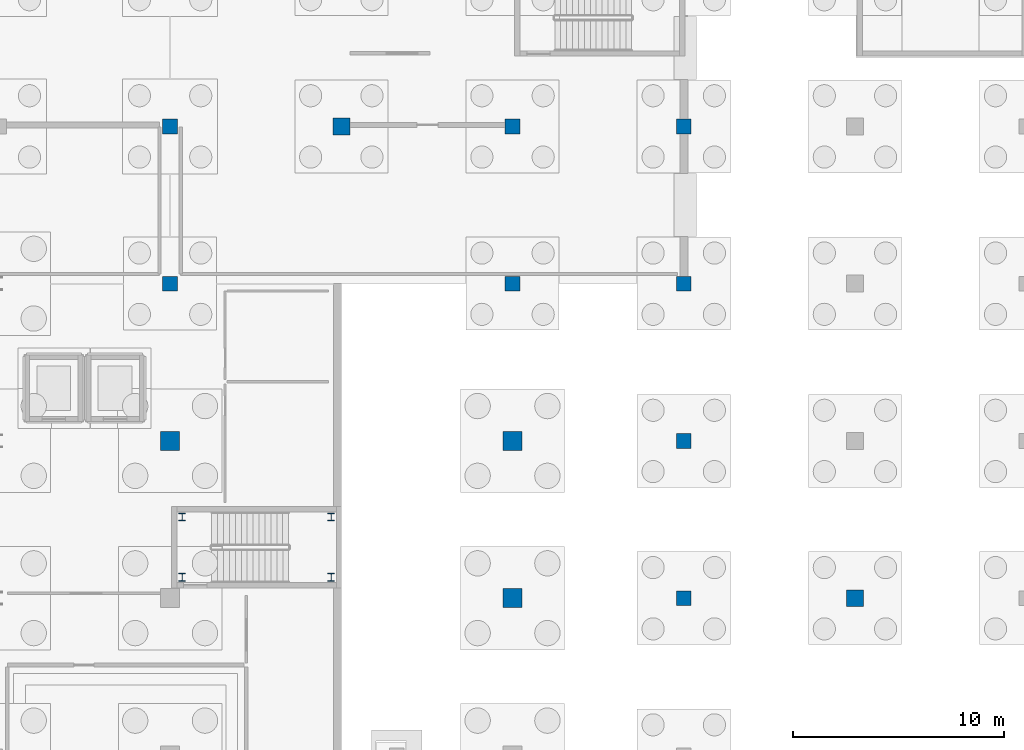
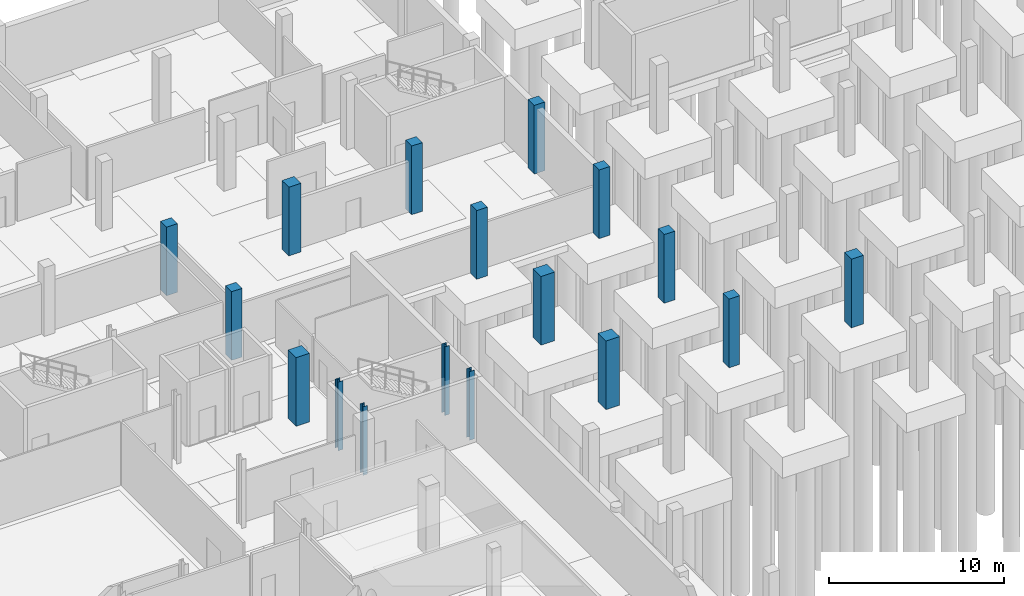
# One storey, part 21 of 37: 17 columns.
"""IFC4 building model written with IfcOpenShell, lengths in metres."""

from ifc_helpers import new_model, si_unit, direction, frame, origin, origin_2d, place, context, subcontext, project, spatial, rectangle, i_section, extrude, material, material_profile, profile_set, type_object, element, save


model = new_model("IFC4")

# Units and contexts
model_context = context("Model", 3, precision=1e-05, world=origin(), true_north=direction((0.0, 1.0)))
body_context = subcontext(model_context, "Body", "Model", "MODEL_VIEW")
ifc_project = project(units=[si_unit("LENGTHUNIT", "METRE"), si_unit("AREAUNIT", "SQUARE_METRE"), si_unit("VOLUMEUNIT", "CUBIC_METRE"), si_unit("PLANEANGLEUNIT", "RADIAN"), si_unit("MASSUNIT", "GRAM", prefix="KILO")], contexts=[model_context])

# Site, building, storey
site_placement = place(None, origin())
site = spatial("IfcSite", under=ifc_project, at=site_placement, CompositionType="ELEMENT")
building_placement = place(site_placement, origin())
building = spatial("IfcBuilding", under=site, at=building_placement, Name="Kaelora Sail Theatre", CompositionType="ELEMENT")
storey_placement = place(building_placement, frame((0.0, 0.0, -4.800048828125)))
storey = spatial("IfcBuildingStorey", under=building, at=storey_placement, Name="B1", CompositionType="ELEMENT", Elevation=-4.800048828125)

# Columns
ifc_material_1 = material(Name="Steel S355", Category="steel")
ifc_material_profile_1 = material_profile(ifc_material_1, i_section(OverallWidth=0.300048828125, OverallDepth=0.360107421875, WebThickness=0.012451171875, FlangeThickness=0.0224609375, FilletRadius=0.027099609375, at=origin_2d()), Name="HEB 360")
ifc_profile_set_1 = profile_set([ifc_material_profile_1], Name="Steel S355")
column_type_1 = type_object("IfcColumnType", Name="STR-COL-C-HEB360", PredefinedType="COLUMN", material=ifc_profile_set_1)
for number, where, z_axis, x_axis, name in (
    (1, (66.8701171875, 69.449951171875, 0.0), (0.0, 0.0, 1.0), (1.0, 0.0, 0.0), "Feature stair ST-F1 support column SW (B1)"),
    (2, (66.8701171875, 72.300048828125, 0.0), (0.0, 0.0, 1.0), (1.0, 0.0, 0.0), "Feature stair ST-F1 support column NW (B1)"),
    (3, (73.919921875, 69.449951171875, 0.0), (0.0, 0.0, 1.0), (1.0, 0.0, 0.0), "Feature stair ST-F1 support column SE (B1)"),
    (4, (73.919921875, 72.300048828125, 0.0), (0.0, 0.0, 1.0), (1.0, 0.0, 0.0), "Feature stair ST-F1 support column NE (B1)"),
):
    element("IfcColumn", number, at=place(storey_placement, frame(where, z_axis=z_axis, x_axis=x_axis)), inside=storey, type_object=column_type_1, Name=name, PredefinedType="COLUMN", context=body_context, shape_type="SweptSolid", body=[
        extrude(i_section(OverallWidth=0.300048828125, OverallDepth=0.360107421875, WebThickness=0.012451171875, FlangeThickness=0.0224609375, FilletRadius=0.027099609375, at=origin_2d()), origin(), (0.0, 0.0, 1.0), 4.800048828125),
    ])
ifc_material_2 = material(Name="Concrete C45/55", Category="concrete")
ifc_material_profile_2 = material_profile(ifc_material_2, rectangle(XDim=0.699951171875, YDim=0.699951171875, at=origin_2d()), Name="RC-COL 700x700")
ifc_profile_set_2 = profile_set([ifc_material_profile_2], Name="Concrete C45/55")
column_type_2 = type_object("IfcColumnType", Name="STR-COL-C-RC700", PredefinedType="COLUMN", material=ifc_profile_set_2)
for number, where, z_axis, x_axis, name in (
    (5, (66.300048828125, 83.340087890625, 0.0), (0.0, 0.0, 1.0), (1.0, 0.0, 0.0), "Column 9/L (B1)"),
    (6, (66.300048828125, 90.780029296875, 0.0), (0.0, 0.0, 1.0), (1.0, 0.0, 0.0), "Column 9/M (B1)"),
    (7, (82.5, 83.340087890625, 0.0), (0.0, 0.0, 1.0), (1.0, 0.0, 0.0), "Column 11/L (B1)"),
    (8, (82.5, 90.780029296875, 0.0), (0.0, 0.0, 1.0), (1.0, 0.0, 0.0), "Column 11/M (B1)"),
    (9, (90.60009765625, 68.4599609375, 0.0), (0.0, 0.0, 1.0), (1.0, 0.0, 0.0), "Column 12/J (B1)"),
    (10, (90.60009765625, 75.89990234375, 0.0), (0.0, 0.0, 1.0), (1.0, 0.0, 0.0), "Column 12/K (B1)"),
    (11, (90.60009765625, 83.340087890625, 0.0), (0.0, 0.0, 1.0), (1.0, 0.0, 0.0), "Column 12/L (B1)"),
    (12, (90.60009765625, 90.780029296875, 0.0), (0.0, 0.0, 1.0), (1.0, 0.0, 0.0), "Column 12/M (B1)"),
):
    element("IfcColumn", number, at=place(storey_placement, frame(where, z_axis=z_axis, x_axis=x_axis)), inside=storey, type_object=column_type_2, Name=name, PredefinedType="COLUMN", context=body_context, shape_type="SweptSolid", body=[
        extrude(rectangle(XDim=0.699951171875, YDim=0.699951171875, at=origin_2d()), origin(), (0.0, 0.0, 1.0), 4.800048828125),
    ])
ifc_material_3 = material(Name="Concrete C50/60", Category="concrete")
ifc_material_profile_3 = material_profile(ifc_material_3, rectangle(XDim=0.800048828125, YDim=0.800048828125, at=origin_2d()), Name="RC-COL 800x800")
ifc_profile_set_3 = profile_set([ifc_material_profile_3], Name="Concrete C50/60")
column_type_3 = type_object("IfcColumnType", Name="STR-COL-C-RC800", PredefinedType="COLUMN", material=ifc_profile_set_3)
for number, where, z_axis, x_axis, name in (
    (13, (74.39990234375, 90.780029296875, 0.0), (0.0, 0.0, 1.0), (1.0, 0.0, 0.0), "Column 10/M (B1)"),
    (14, (98.699951171875, 68.4599609375, 0.0), (0.0, 0.0, 1.0), (1.0, 0.0, 0.0), "Column 13/J (B1)"),
):
    element("IfcColumn", number, at=place(storey_placement, frame(where, z_axis=z_axis, x_axis=x_axis)), inside=storey, type_object=column_type_3, Name=name, PredefinedType="COLUMN", context=body_context, shape_type="SweptSolid", body=[
        extrude(rectangle(XDim=0.800048828125, YDim=0.800048828125, at=origin_2d()), origin(), (0.0, 0.0, 1.0), 4.800048828125),
    ])
ifc_material_4 = material(Name="Concrete C50/60", Category="concrete")
ifc_material_profile_4 = material_profile(ifc_material_4, rectangle(XDim=0.89990234375, YDim=0.89990234375, at=origin_2d()), Name="RC-COL 900x900")
ifc_profile_set_4 = profile_set([ifc_material_profile_4], Name="Concrete C50/60")
column_type_4 = type_object("IfcColumnType", Name="STR-COL-C-RC900", PredefinedType="COLUMN", material=ifc_profile_set_4)
for number, where, z_axis, x_axis, name in (
    (15, (66.300048828125, 75.89990234375, 0.0), (0.0, 0.0, 1.0), (1.0, 0.0, 0.0), "Column 9/K (B1)"),
    (16, (82.5, 68.4599609375, 0.0), (0.0, 0.0, 1.0), (1.0, 0.0, 0.0), "Column 11/J (B1)"),
    (17, (82.5, 75.89990234375, 0.0), (0.0, 0.0, 1.0), (1.0, 0.0, 0.0), "Column 11/K (B1)"),
):
    element("IfcColumn", number, at=place(storey_placement, frame(where, z_axis=z_axis, x_axis=x_axis)), inside=storey, type_object=column_type_4, Name=name, PredefinedType="COLUMN", context=body_context, shape_type="SweptSolid", body=[
        extrude(rectangle(XDim=0.89990234375, YDim=0.89990234375, at=origin_2d()), origin(), (0.0, 0.0, 1.0), 4.800048828125),
    ])

save(model, "model.ifc")
